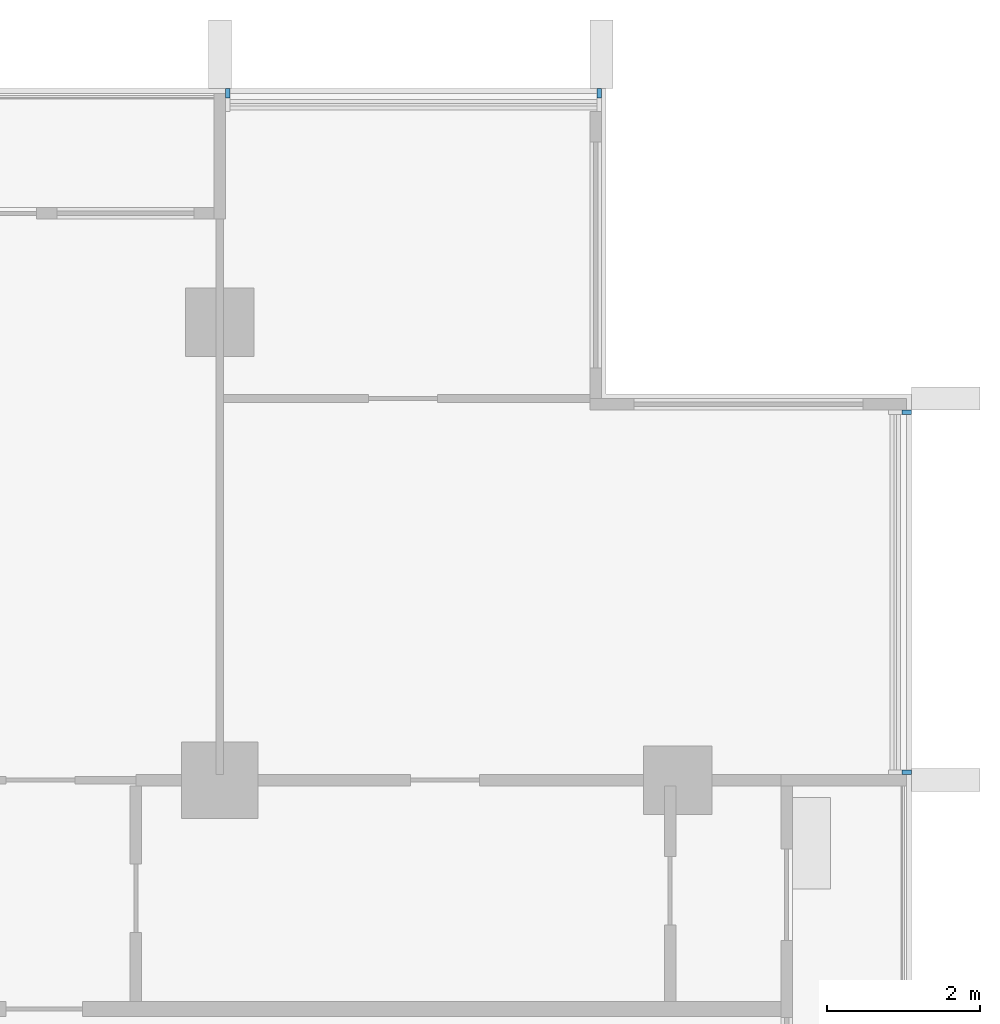
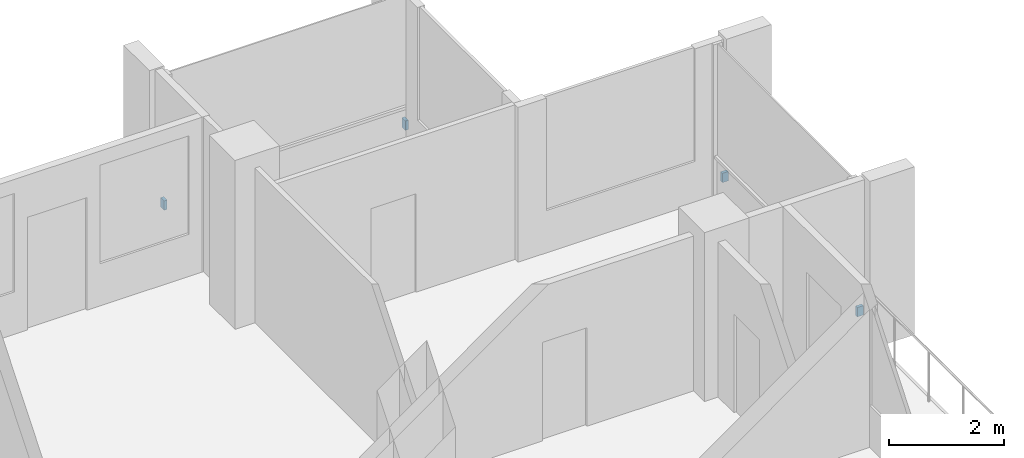
# One storey, part 15 of 16: 4 discrete accessories.
"""IFC4 building model written with IfcOpenShell, lengths in metres."""

from ifc_helpers import new_model, si_unit, direction, frame, origin, origin_2d, place, context, subcontext, project, spatial, rectangle, extrude, material, type_object, element, save


model = new_model("IFC4")

# Units and contexts
model_context = context("Model", 3, precision=1e-05, world=origin(), true_north=direction((0.0, 1.0)))
body_context = subcontext(model_context, "Body", "Model", "MODEL_VIEW")
ifc_project = project(units=[si_unit("LENGTHUNIT", "METRE"), si_unit("AREAUNIT", "SQUARE_METRE"), si_unit("VOLUMEUNIT", "CUBIC_METRE"), si_unit("PLANEANGLEUNIT", "RADIAN"), si_unit("MASSUNIT", "GRAM", prefix="KILO")], contexts=[model_context])

# Site, building, storey
site_placement = place(None, origin())
site = spatial("IfcSite", under=ifc_project, at=site_placement, CompositionType="ELEMENT")
building_placement = place(site_placement, origin())
building = spatial("IfcBuilding", under=site, at=building_placement, Name="Finial Court Residences", CompositionType="ELEMENT")
storey_placement = place(building_placement, frame((0.0, 0.0, 178.10009765625)))
storey = spatial("IfcBuildingStorey", under=building, at=storey_placement, Name="L44", CompositionType="ELEMENT", Elevation=178.10009765625)

# Discrete accessories
ifc_material = material(Name="Stainless steel 316", Category="steel")
discrete_accessory_type = type_object("IfcDiscreteAccessoryType", Name="Fin bracket, stainless steel 60 x 122 x 200", PredefinedType="BRACKET", material=ifc_material)
for number, where, z_axis, x_axis, name in (
    (1, (10.60498046875, 22.498779296875, 0.2998046875), (0.0, 0.0, 1.0), (1.0, 0.0, 0.0), "E-L44-FIN-N5-BRK"),
    (2, (15.469970703125, 22.498779296875, 0.2998046875), (0.0, 0.0, 1.0), (1.0, 0.0, 0.0), "E-L44-FIN-N6-BRK"),
):
    element("IfcDiscreteAccessory", number, at=place(storey_placement, frame(where, z_axis=z_axis, x_axis=x_axis)), inside=storey, type_object=discrete_accessory_type, Name=name, PredefinedType="BRACKET", context=body_context, shape_type="SweptSolid", body=[
        extrude(rectangle(XDim=0.06005859375, YDim=0.12255859375, at=origin_2d()), origin(), (0.0, 0.0, 1.0), 0.199951171875),
    ])
for number, where, z_axis, x_axis, name in (
    (3, (19.498779296875, 13.60498046875, 0.2998046875), (0.0, 0.0, 1.0), (1.0, 0.0, 0.0), "E-L44-FIN-E12-BRK"),
    (4, (19.498779296875, 18.320068359375, 0.2998046875), (0.0, 0.0, 1.0), (1.0, 0.0, 0.0), "E-L44-FIN-E13-BRK"),
):
    element("IfcDiscreteAccessory", number, at=place(storey_placement, frame(where, z_axis=z_axis, x_axis=x_axis)), inside=storey, type_object=discrete_accessory_type, Name=name, PredefinedType="BRACKET", context=body_context, shape_type="SweptSolid", body=[
        extrude(rectangle(XDim=0.12255859375, YDim=0.06005859375, at=origin_2d()), origin(), (0.0, 0.0, 1.0), 0.199951171875),
    ])

save(model, "model.ifc")
